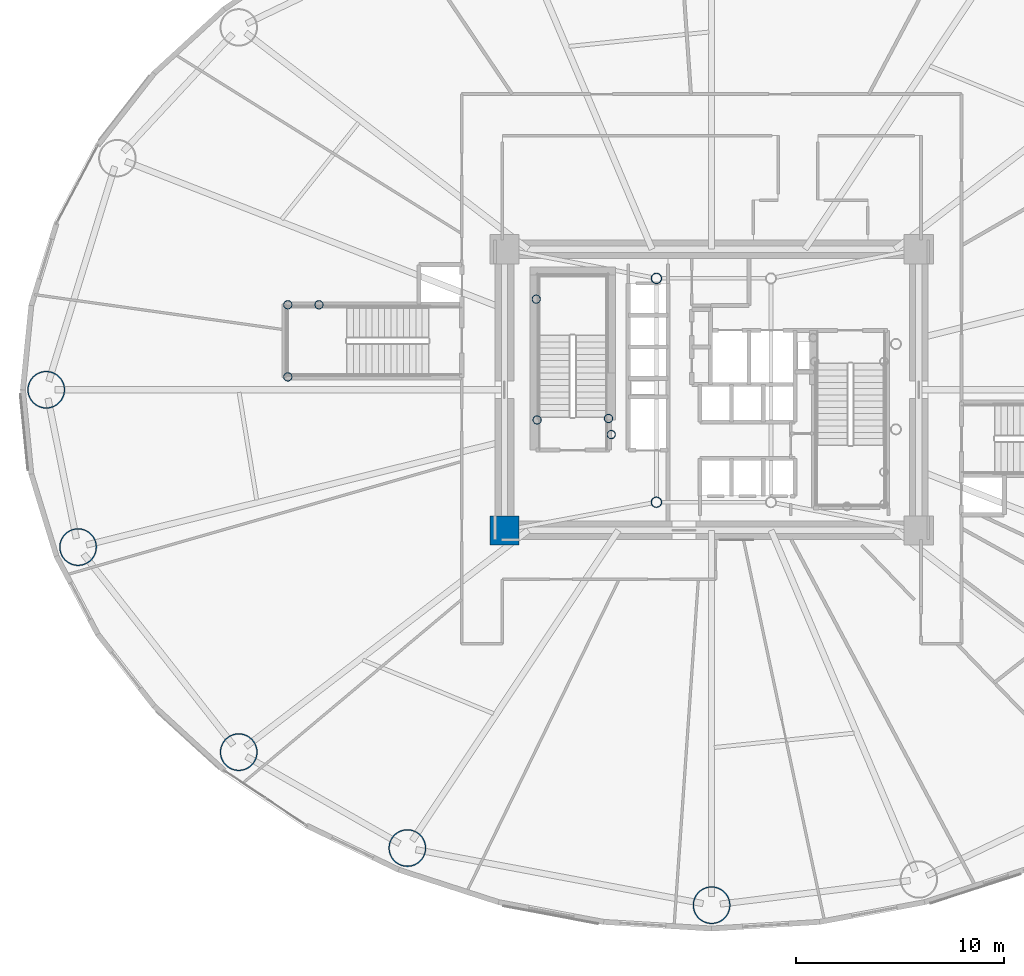
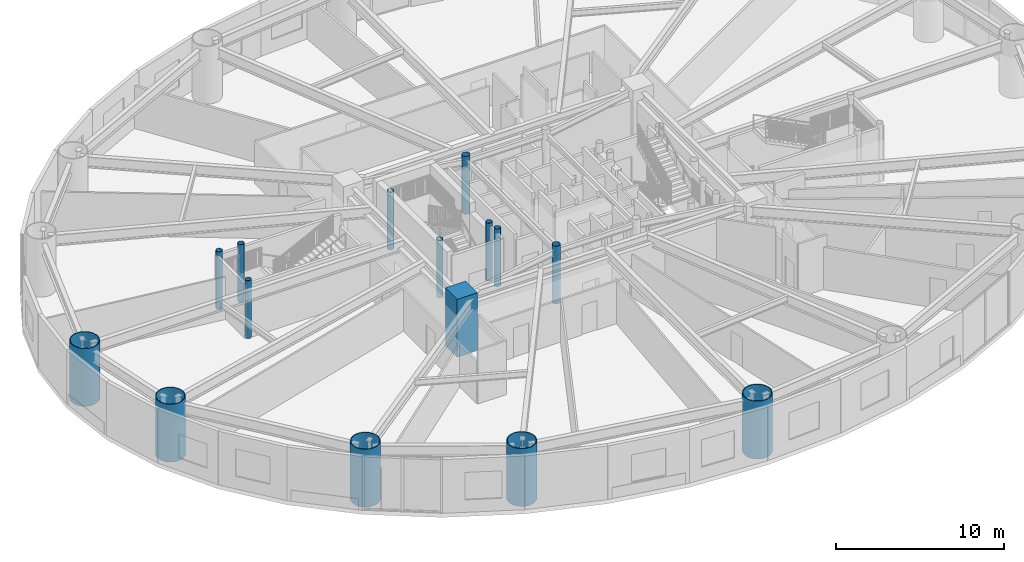
# One storey, part 1 of 27: 15 columns.
"""IFC4 building model written with IfcOpenShell, lengths in metres."""

import ifcopenshell
import ifcopenshell.guid

model = None  # the IFC model being written
_history = None  # IfcOwnerHistory: only IFC2X3 demands one
_inside = {}  # id of a spatial element -> (the spatial element, [elements in it])
_under = {}  # id of a project, library or spatial element -> (it, [spatial elements below it])
_declared = {}  # id of a project -> (the project, [libraries it declares])
_typed = {}  # id of a type object -> (the type object, [elements of that type])
_made_of = {}  # id of a material, layer set ... -> (it, [elements and type objects made of it])


def new_model(schema):
    """Start an empty IFC model of exactly this schema.

    Asked for "IFC4X3", IfcOpenShell would pick the latest addendum, in which some entities
    have other attributes; the version numbers below select the first issue.
    IFC2X3 requires an IfcOwnerHistory on every rooted entity: one is made here for all.
    """
    global model, _history
    if schema == "IFC4X3":
        model = ifcopenshell.file(schema_version=(4, 3, 0, 0))
    else:
        model = ifcopenshell.file(schema=schema)
    _inside.clear()
    _under.clear()
    _declared.clear()
    _typed.clear()
    _made_of.clear()
    _history = None
    if model.schema == "IFC2X3":
        org = make("IfcOrganization", Name="unknown")
        user = make(
            "IfcPersonAndOrganization",
            ThePerson=make("IfcPerson", FamilyName="unknown"),
            TheOrganization=org,
        )
        app = make(
            "IfcApplication",
            ApplicationDeveloper=org,
            Version="unknown",
            ApplicationFullName="unknown",
            ApplicationIdentifier="unknown",
        )
        _history = make(
            "IfcOwnerHistory",
            OwningUser=user,
            OwningApplication=app,
            ChangeAction="ADDED",
            CreationDate=0,
        )
    return model


def make(cls, **values):
    """One entity of the class cls with the attributes given. An attribute that is None is left unset."""
    return model.create_entity(
        cls, **{name: value for name, value in values.items() if value is not None}
    )


def rooted(cls, **values):
    """An entity with a GlobalId (a new one), such as an element, a storey or a relation."""
    return make(cls, GlobalId=ifcopenshell.guid.new(), OwnerHistory=_history, **values)


def si_unit(unit_type, name, prefix=None):
    """IfcSIUnit, for example si_unit("LENGTHUNIT", "METRE", prefix="MILLI")."""
    return make("IfcSIUnit", UnitType=unit_type, Prefix=prefix, Name=name)


def assignment(units):
    """IfcUnitAssignment: the units of a project."""
    return None if units is None else make("IfcUnitAssignment", Units=units)


def point(xyz):
    """IfcCartesianPoint."""
    return None if xyz is None else make("IfcCartesianPoint", Coordinates=xyz)


def direction(xyz):
    """IfcDirection."""
    return None if xyz is None else make("IfcDirection", DirectionRatios=xyz)


def frame(location, z_axis=None, x_axis=None):
    """IfcAxis2Placement3D, a coordinate frame: its origin and axes. An axis left out is left unset."""
    return make(
        "IfcAxis2Placement3D",
        Location=point(location),
        Axis=direction(z_axis),
        RefDirection=direction(x_axis),
    )


def frame_2d(location, x_axis=None):
    """IfcAxis2Placement2D, a coordinate frame in the plane: its origin and x axis."""
    return make(
        "IfcAxis2Placement2D", Location=point(location), RefDirection=direction(x_axis)
    )


def origin():
    """The frame at (0, 0, 0) with its axes left unset."""
    return frame((0.0, 0.0, 0.0))


def origin_2d():
    """The frame at (0, 0) in the plane with its x axis left unset."""
    return frame_2d((0.0, 0.0))


def place(relative_to, where):
    """IfcLocalPlacement: puts the frame where relative to a parent placement (None: the world)."""
    return make(
        "IfcLocalPlacement", PlacementRelTo=relative_to, RelativePlacement=where
    )


def context(
    kind, dimensions, precision=None, world=None, true_north=None, identifier=None
):
    """IfcGeometricRepresentationContext, for example the 3D "Model" context."""
    return make(
        "IfcGeometricRepresentationContext",
        ContextIdentifier=identifier,
        ContextType=kind,
        CoordinateSpaceDimension=dimensions,
        Precision=precision,
        WorldCoordinateSystem=world,
        TrueNorth=true_north,
    )


def subcontext(parent, identifier, kind, view, scale=None):
    """IfcGeometricRepresentationSubContext, for example "Body" below "Model"."""
    return make(
        "IfcGeometricRepresentationSubContext",
        ContextIdentifier=identifier,
        ContextType=kind,
        ParentContext=parent,
        TargetScale=scale,
        TargetView=view,
    )


def project(units=None, contexts=None):
    """IfcProject with its units and contexts."""
    return rooted(
        "IfcProject",
        Name="project",
        RepresentationContexts=contexts,
        UnitsInContext=assignment(units),
    )


def spatial(cls, under=None, at=None, **own):
    """A site, building, storey or space (cls), placed at a placement, below another one or the project."""
    s = rooted(cls, ObjectPlacement=at, **own)
    if under is not None:
        _under.setdefault(under.id(), (under, []))[1].append(s)
    return s


def profile(cls, at=None, kind="AREA", **sizes):
    """A parametric profile (cls). Its sizes go by their IFC names, for example OverallWidth=200.0."""
    return make(cls, ProfileType=kind, Position=at, **sizes)


def rectangle(**sizes):
    """IfcRectangleProfileDef."""
    return profile("IfcRectangleProfileDef", **sizes)


def hollow_circle(**sizes):
    """IfcCircleHollowProfileDef."""
    return profile("IfcCircleHollowProfileDef", **sizes)


def extrude(swept, where, along, depth):
    """IfcExtrudedAreaSolid: the profile swept, set in the frame where, extruded along a direction by depth."""
    return make(
        "IfcExtrudedAreaSolid",
        SweptArea=swept,
        Position=where,
        ExtrudedDirection=direction(along),
        Depth=depth,
    )


def shape(context_of_items, identifier, shape_type, items):
    """IfcShapeRepresentation: the items that make up one representation, for example the "Body"."""
    return make(
        "IfcShapeRepresentation",
        ContextOfItems=context_of_items,
        RepresentationIdentifier=identifier,
        RepresentationType=shape_type,
        Items=items,
    )


def material(Name=None, Category=None):
    """IfcMaterial."""
    return make("IfcMaterial", Name=Name, Category=Category)


def material_profile(
    of_material, cross_section, Name=None, Category=None, Priority=None
):
    """IfcMaterialProfile: a cross section and its material."""
    return make(
        "IfcMaterialProfile",
        Name=Name,
        Material=of_material,
        Profile=cross_section,
        Priority=Priority,
        Category=Category,
    )


def profile_set(profiles, Name=None, composite=None):
    """IfcMaterialProfileSet."""
    return make(
        "IfcMaterialProfileSet",
        Name=Name,
        MaterialProfiles=profiles,
        CompositeProfile=composite,
    )


def made_of(thing, what):
    """Note that an element or type object is made of a material, layer set ...; save() writes the relation."""
    if what is not None:
        _made_of.setdefault(what.id(), (what, []))[1].append(thing)
    return thing


def type_object(cls, material=None, **own):
    """A type object (cls), such as IfcWallType, which elements share."""
    return made_of(rooted(cls, **own), material)


def element(
    cls,
    number,
    at=None,
    inside=None,
    cuts=None,
    type_object=None,
    material=None,
    context=None,
    identifier="Body",
    shape_type=None,
    held_by="IfcProductDefinitionShape",
    body=None,
    shapes=None,
    **own,
):
    """One element of the class cls, such as IfcWall. Its Tag is "e" and its number.

    at: its placement. inside: the storey or other place that contains it. cuts: it is an
    opening in that element (IfcRelVoidsElement). A single representation is given by context,
    identifier, shape_type and body (its items); several are given by shapes. held_by: the class
    of the entity that holds the representations. save() writes the other relations.
    """
    e = rooted(cls, Tag="e%d" % number, ObjectPlacement=at, **own)
    if body is not None:
        shapes = [shape(context, identifier, shape_type, body)]
    if shapes is not None:
        e.Representation = make(held_by, Representations=shapes)
    if inside is not None:
        _inside.setdefault(inside.id(), (inside, []))[1].append(e)
    if cuts is not None:
        rooted(
            "IfcRelVoidsElement", RelatingBuildingElement=cuts, RelatedOpeningElement=e
        )
    if type_object is not None:
        _typed.setdefault(type_object.id(), (type_object, []))[1].append(e)
    return made_of(e, material)


def aggregate(whole, parts):
    """IfcRelAggregates: a whole, such as a stair, and the parts it consists of."""
    return rooted("IfcRelAggregates", RelatingObject=whole, RelatedObjects=parts)


def save(model, path):
    """Write the relations noted so far, then the file.

    IfcRelAggregates (storeys below a building ...), IfcRelContainedInSpatialStructure (elements
    in a storey), IfcRelDefinesByType, IfcRelAssociatesMaterial and IfcRelDeclares: one each for
    every whole, place, type object, material and project.
    """
    for whole, parts in _under.values():
        aggregate(whole, parts)
    for where, things in _inside.values():
        rooted(
            "IfcRelContainedInSpatialStructure",
            RelatedElements=things,
            RelatingStructure=where,
        )
    for kind, things in _typed.values():
        rooted("IfcRelDefinesByType", RelatedObjects=things, RelatingType=kind)
    for what, things in _made_of.values():
        rooted("IfcRelAssociatesMaterial", RelatedObjects=things, RelatingMaterial=what)
    for by, libraries in _declared.values():
        rooted("IfcRelDeclares", RelatingContext=by, RelatedDefinitions=libraries)
    model.write(path)


model = new_model("IFC4")

# Units and contexts
model_context = context("Model", 3, precision=1e-05, world=origin(), true_north=direction((0.0, 1.0)))
body_context = subcontext(model_context, "Body", "Model", "MODEL_VIEW")
ifc_project = project(units=[si_unit("LENGTHUNIT", "METRE"), si_unit("AREAUNIT", "SQUARE_METRE"), si_unit("VOLUMEUNIT", "CUBIC_METRE"), si_unit("PLANEANGLEUNIT", "RADIAN"), si_unit("MASSUNIT", "GRAM", prefix="KILO")], contexts=[model_context])

# Site, building, storey
site_placement = place(None, origin())
site = spatial("IfcSite", under=ifc_project, at=site_placement, CompositionType="ELEMENT")
building_placement = place(site_placement, origin())
building = spatial("IfcBuilding", under=site, at=building_placement, Name="Linh Dai School and Residence Tower", CompositionType="ELEMENT")
storey_placement = place(building_placement, frame((0.0, 0.0, 14.39990234375)))
storey = spatial("IfcBuildingStorey", under=building, at=storey_placement, Name="L03", CompositionType="ELEMENT", Elevation=14.39990234375)

# Columns
ifc_material_1 = material(Name="Concrete B60 (C50/60)", Category="concrete")
ifc_material_profile_1 = material_profile(ifc_material_1, rectangle(XDim=1.39990234375, YDim=1.39990234375, at=origin_2d()), Name="RC 1400x1400")
ifc_profile_set_1 = profile_set([ifc_material_profile_1], Name="Concrete B60 (C50/60)")
column_type_1 = type_object("IfcColumnType", Name="COL-CC1", PredefinedType="COLUMN", material=ifc_profile_set_1)
column_placement = place(storey_placement, frame((26.050048828125, 20.25, 0.0), z_axis=(0.0, 0.0, 1.0), x_axis=(1.0, 0.0, 0.0)))
element("IfcColumn", 1, at=column_placement, inside=storey, type_object=column_type_1, Name="L03 Core Corner Pier CC1", PredefinedType="COLUMN", context=body_context, shape_type="SweptSolid", body=[
    extrude(rectangle(XDim=1.39990234375, YDim=1.39990234375, at=origin_2d()), origin(), (0.0, 0.0, 1.0), 4.2001953125),
])
ifc_material_2 = material(Name="Structural Steel S355JR", Category="steel")
ifc_material_profile_2 = material_profile(ifc_material_2, hollow_circle(Radius=0.203125, WallThickness=0.01611328125, at=origin_2d()), Name="CHS 406.4x16")
ifc_profile_set_2 = profile_set([ifc_material_profile_2], Name="Structural Steel S355JR")
column_type_2 = type_object("IfcColumnType", Name="COL-EC", PredefinedType="COLUMN", material=ifc_profile_set_2)
for number, where, z_axis, x_axis, name in (
    (2, (27.580078125, 31.35009765625, 0.0), (0.0, 0.0, 1.0), (1.0, 0.0, 0.0), "L03 Stair Shaft Landing Support Pier ST1NW"),
    (3, (31.050048828125, 25.6201171875, 0.0), (0.0, 0.0, 1.0), (1.0, 0.0, 0.0), "L03 Stair Shaft Landing Support Pier ST1SE"),
    (4, (31.179931640625, 24.85009765625, 0.0), (0.0, 0.0, 1.0), (1.0, 0.0, 0.0), "L03 Stair Shaft Landing Support Pier ST1SM"),
    (5, (27.6201171875, 25.550048828125, 0.0), (0.0, 0.0, 1.0), (1.0, 0.0, 0.0), "L03 Stair Shaft Landing Support Pier ST1SW"),
    (6, (15.64990234375, 27.6201171875, 0.0), (0.0, 0.0, 1.0), (1.0, 0.0, 0.0), "L03 Stair Shaft Landing Support Pier STS1SW"),
    (7, (15.64990234375, 31.080078125, 0.0), (0.0, 0.0, 1.0), (1.0, 0.0, 0.0), "L03 Stair Shaft Landing Support Pier STS1NW"),
    (8, (17.14990234375, 31.080078125, 0.0), (0.0, 0.0, 1.0), (1.0, 0.0, 0.0), "L03 Stair Shaft Landing Support Pier STS1ME"),
):
    element("IfcColumn", number, at=place(storey_placement, frame(where, z_axis=z_axis, x_axis=x_axis)), inside=storey, type_object=column_type_2, Name=name, PredefinedType="COLUMN", context=body_context, shape_type="SweptSolid", body=[
        extrude(hollow_circle(Radius=0.203125, WallThickness=0.01611328125, at=origin_2d()), origin(), (0.0, 0.0, 1.0), 4.2001953125),
    ])
ifc_material_profile_3 = material_profile(ifc_material_2, hollow_circle(Radius=0.89990234375, WallThickness=0.050048828125, at=origin_2d()), Name="CHS 1800x50")
ifc_profile_set_3 = profile_set([ifc_material_profile_3], Name="Structural Steel S355JR")
column_type_3 = type_object("IfcColumnType", Name="COL-MC1", PredefinedType="COLUMN", material=ifc_profile_set_3)
for number, where, z_axis, x_axis, name in (
    (9, (4.050048828125, 27.0, 0.0), (0.0, 0.0, 1.0), (1.0, 0.0, 0.0), "L03 Perimeter CFT Mega-Column MC09"),
    (10, (5.57958984375, 19.444580078125, 0.0), (0.0, 0.0, 1.0), (1.0, 0.0, 0.0), "L03 Perimeter CFT Mega-Column MC10"),
    (11, (13.294677734375, 9.599365234375, 0.0), (0.0, 0.0, 1.0), (1.0, 0.0, 0.0), "L03 Perimeter CFT Mega-Column MC11"),
    (12, (21.390869140625, 4.994873046875, 0.0), (0.0, 0.0, 1.0), (1.0, 0.0, 0.0), "L03 Perimeter CFT Mega-Column MC12"),
    (13, (36.0, 2.25, 0.0), (0.0, 0.0, 1.0), (1.0, 0.0, 0.0), "L03 Perimeter CFT Mega-Column MC13"),
):
    element("IfcColumn", number, at=place(storey_placement, frame(where, z_axis=z_axis, x_axis=x_axis)), inside=storey, type_object=column_type_3, Name=name, PredefinedType="COLUMN", context=body_context, shape_type="SweptSolid", body=[
        extrude(hollow_circle(Radius=0.89990234375, WallThickness=0.050048828125, at=origin_2d()), origin(), (0.0, 0.0, 1.0), 4.2001953125),
    ])
ifc_material_profile_4 = material_profile(ifc_material_2, hollow_circle(Radius=0.25390625, WallThickness=0.02001953125, at=origin_2d()), Name="CHS 508x20")
ifc_profile_set_4 = profile_set([ifc_material_profile_4], Name="Structural Steel S355JR")
column_type_4 = type_object("IfcColumnType", Name="COL-MCP", PredefinedType="COLUMN", material=ifc_profile_set_4)
for number, where, z_axis, x_axis, name in (
    (14, (33.35009765625, 21.60009765625, 0.0), (0.0, 0.0, 1.0), (1.0, 0.0, 0.0), "L03 Core Mast Support Pier MCP1"),
    (15, (33.35009765625, 32.35009765625, 0.0), (0.0, 0.0, 1.0), (1.0, 0.0, 0.0), "L03 Core Mast Support Pier MCP4"),
):
    element("IfcColumn", number, at=place(storey_placement, frame(where, z_axis=z_axis, x_axis=x_axis)), inside=storey, type_object=column_type_4, Name=name, PredefinedType="COLUMN", context=body_context, shape_type="SweptSolid", body=[
        extrude(hollow_circle(Radius=0.25390625, WallThickness=0.02001953125, at=origin_2d()), origin(), (0.0, 0.0, 1.0), 4.2001953125),
    ])

save(model, "model.ifc")
